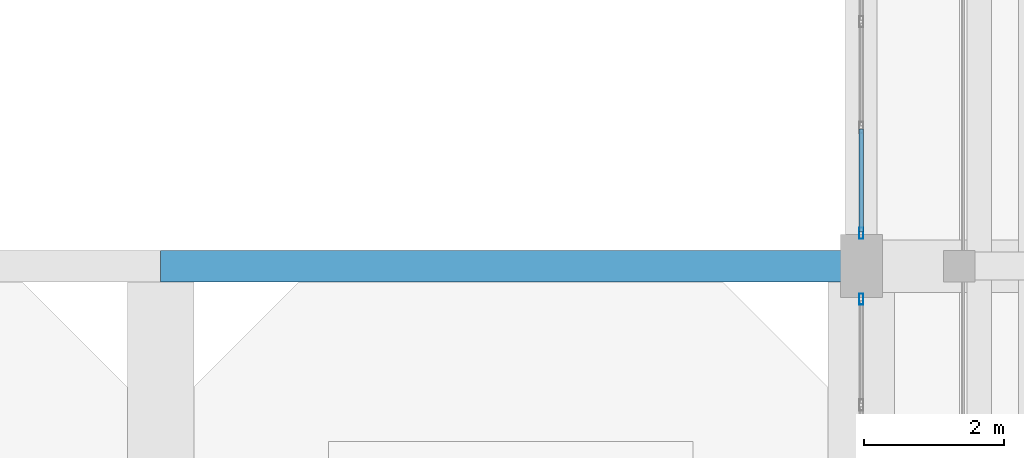
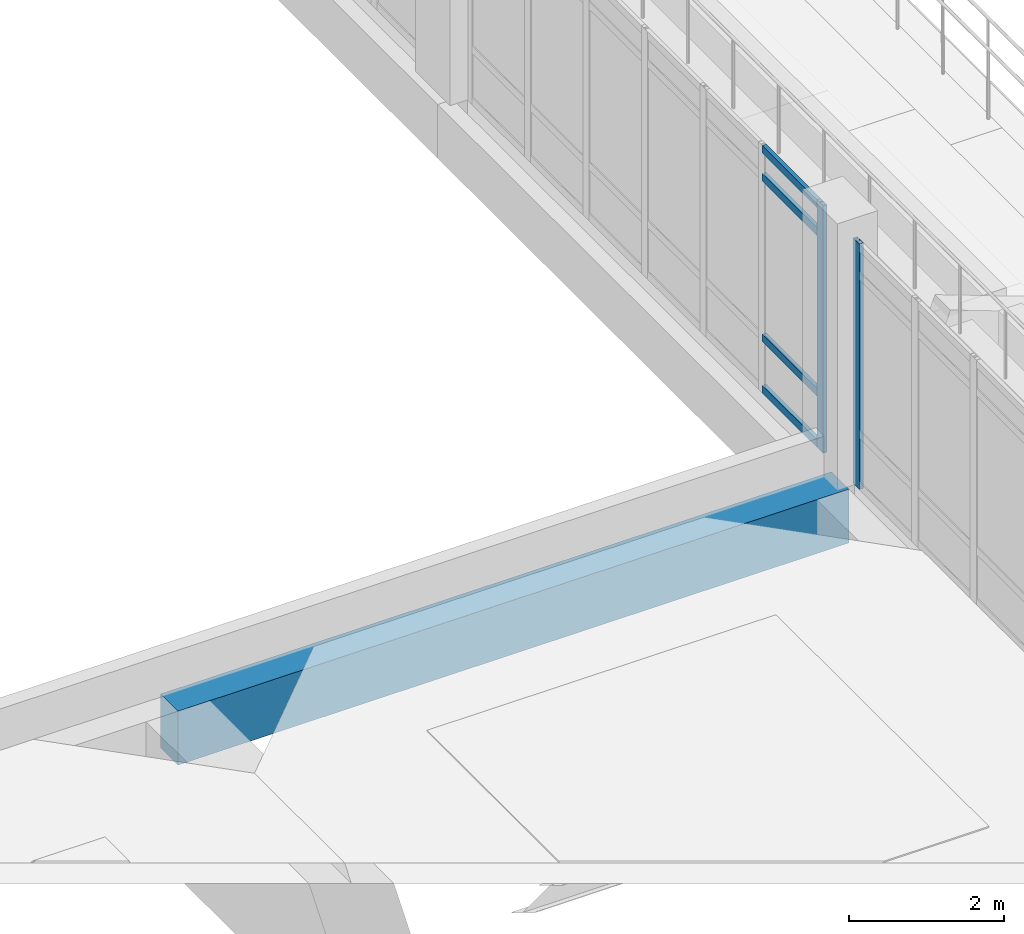
# One storey, part 63 of 161: 6 members, 1 beam, 2 elements without a shape of their own.
"""IFC4 building model written with IfcOpenShell, lengths in metres."""

from ifc_helpers import new_model, si_unit, direction, frame, origin, origin_2d, place, context, subcontext, project, spatial, rectangle, hollow_rectangle, extrude, material, layer, layer_set, material_profile, profile_set, type_object, element, aggregate, save


model = new_model("IFC4")

# Units and contexts
model_context = context("Model", 3, precision=1e-05, world=origin(), true_north=direction((0.0, 1.0)))
body_context = subcontext(model_context, "Body", "Model", "MODEL_VIEW")
ifc_project = project(units=[si_unit("LENGTHUNIT", "METRE"), si_unit("AREAUNIT", "SQUARE_METRE"), si_unit("VOLUMEUNIT", "CUBIC_METRE"), si_unit("PLANEANGLEUNIT", "RADIAN"), si_unit("MASSUNIT", "GRAM", prefix="KILO")], contexts=[model_context])

# Site, building, storey
site_placement = place(None, origin())
site = spatial("IfcSite", under=ifc_project, at=site_placement, CompositionType="ELEMENT")
building_placement = place(site_placement, origin())
building = spatial("IfcBuilding", under=site, at=building_placement, Name="Mersad Railyard Sports Hall", CompositionType="ELEMENT")
storey_placement = place(building_placement, frame((0.0, 0.0, 4.800048828125)))
storey = spatial("IfcBuildingStorey", under=building, at=storey_placement, Name="L01", CompositionType="ELEMENT", Elevation=4.800048828125)

# Curtain wall, member
ifc_material_1 = material(Name="Aluminium 6063-T6", Category="aluminium")
ifc_layer_1 = layer(ifc_material_1, 0.159912109375)
ifc_layer_set_1 = layer_set([ifc_layer_1], Name="Aluminium 6063-T6")
curtain_wall_type_1 = type_object("IfcCurtainWallType", Name="ARC-CW-CW14", PredefinedType="USERDEFINED", material=ifc_layer_set_1)
curtain_wall_1_placement = place(storey_placement, origin())
curtain_wall_1 = element("IfcCurtainWall", 1, at=curtain_wall_1_placement, inside=storey, type_object=curtain_wall_type_1, Name="Curtain wall CW14-0070", ObjectType="CURTAIN WALL", PredefinedType="USERDEFINED")
ifc_material_profile_1 = material_profile(ifc_material_1, hollow_rectangle(XDim=0.06005859375, YDim=0.159912109375, WallThickness=0.00390625, at=origin_2d()), Name="AL MULLION 60x160x4")
ifc_profile_set_1 = profile_set([ifc_material_profile_1], Name="Aluminium 6063-T6")
member_type_1 = type_object("IfcMemberType", Name="ARC-CW-MUL01", PredefinedType="MULLION", material=ifc_profile_set_1)
member_1_placement = place(storey_placement, frame((131.0, 43.030029296875, -0.02001953125), z_axis=(0.0, 0.0, 1.0), x_axis=(1.0, 0.0, 0.0)))
member_1 = element("IfcMember", 2, at=member_1_placement, type_object=member_type_1, Name="CW14 Mullion 7", PredefinedType="MULLION", context=body_context, shape_type="SweptSolid", body=[
    extrude(hollow_rectangle(XDim=0.06005859375, YDim=0.159912109375, WallThickness=0.00390625, at=origin_2d()), origin(), (0.0, 0.0, 1.0), 3.869873046875),
])
aggregate(curtain_wall_1, [member_1])

# Curtain wall, members
ifc_layer_2 = layer(ifc_material_1, 0.159912109375)
ifc_layer_set_2 = layer_set([ifc_layer_2], Name="Aluminium 6063-T6")
curtain_wall_type_2 = type_object("IfcCurtainWallType", Name="ARC-CW-CW25", PredefinedType="USERDEFINED", material=ifc_layer_set_2)
curtain_wall_2_placement = place(storey_placement, origin())
curtain_wall_2 = element("IfcCurtainWall", 3, at=curtain_wall_2_placement, inside=storey, type_object=curtain_wall_type_2, Name="Curtain wall CW25-0072", ObjectType="CURTAIN WALL", PredefinedType="USERDEFINED")
member_2_placement = place(storey_placement, frame((131.0, 43.969970703125, -0.02001953125), z_axis=(0.0, 0.0, 1.0), x_axis=(1.0, 0.0, 0.0)))
member_2 = element("IfcMember", 4, at=member_2_placement, type_object=member_type_1, Name="CW25 Mullion 1", PredefinedType="MULLION", context=body_context, shape_type="SweptSolid", body=[
    extrude(hollow_rectangle(XDim=0.06005859375, YDim=0.159912109375, WallThickness=0.00390625, at=origin_2d()), origin(), (0.0, 0.0, 1.0), 3.89990234375),
])
ifc_material_profile_2 = material_profile(ifc_material_1, hollow_rectangle(XDim=0.06005859375, YDim=0.1201171875, WallThickness=0.00390625, at=origin_2d()), Name="AL TRANSOM 60x120x4")
ifc_profile_set_2 = profile_set([ifc_material_profile_2], Name="Aluminium 6063-T6")
member_type_2 = type_object("IfcMemberType", Name="ARC-CW-TRN01", PredefinedType="USERDEFINED", material=ifc_profile_set_2)
member_3_placement = place(storey_placement, frame((131.0, 43.989990234375, 0.0400390625), z_axis=(0.0, 1.0, 0.0), x_axis=(-1.0, 0.0, 0.0)))
member_3 = element("IfcMember", 5, at=member_3_placement, type_object=member_type_2, Name="CW25 Transom 1-1", ObjectType="TRANSOM", PredefinedType="USERDEFINED", context=body_context, shape_type="SweptSolid", body=[
    extrude(hollow_rectangle(XDim=0.06005859375, YDim=0.1201171875, WallThickness=0.00390625, at=origin_2d()), origin(), (0.0, 0.0, 1.0), 1.469970703125),
])
member_4_placement = place(storey_placement, frame((131.0, 43.989990234375, 0.849853515625), z_axis=(0.0, 1.0, 0.0), x_axis=(-1.0, 0.0, 0.0)))
member_4 = element("IfcMember", 6, at=member_4_placement, type_object=member_type_2, Name="CW25 Transom 2-1", ObjectType="TRANSOM", PredefinedType="USERDEFINED", context=body_context, shape_type="SweptSolid", body=[
    extrude(hollow_rectangle(XDim=0.06005859375, YDim=0.1201171875, WallThickness=0.00390625, at=origin_2d()), origin(), (0.0, 0.0, 1.0), 1.469970703125),
])
member_5_placement = place(storey_placement, frame((131.0, 43.989990234375, 3.3798828125), z_axis=(0.0, 1.0, 0.0), x_axis=(-1.0, 0.0, 0.0)))
member_5 = element("IfcMember", 7, at=member_5_placement, type_object=member_type_2, Name="CW25 Transom 3-1", ObjectType="TRANSOM", PredefinedType="USERDEFINED", context=body_context, shape_type="SweptSolid", body=[
    extrude(hollow_rectangle(XDim=0.06005859375, YDim=0.1201171875, WallThickness=0.00390625, at=origin_2d()), origin(), (0.0, 0.0, 1.0), 1.469970703125),
])
member_6_placement = place(storey_placement, frame((131.0, 43.989990234375, 3.820068359375), z_axis=(0.0, 1.0, 0.0), x_axis=(-1.0, 0.0, 0.0)))
member_6 = element("IfcMember", 8, at=member_6_placement, type_object=member_type_2, Name="CW25 Transom 4-1", ObjectType="TRANSOM", PredefinedType="USERDEFINED", context=body_context, shape_type="SweptSolid", body=[
    extrude(hollow_rectangle(XDim=0.06005859375, YDim=0.1201171875, WallThickness=0.00390625, at=origin_2d()), origin(), (0.0, 0.0, 1.0), 1.469970703125),
])
aggregate(curtain_wall_2, [member_2, member_3, member_4, member_5, member_6])

# Beam
ifc_material_2 = material(Name="Concrete C40/50", Category="concrete")
ifc_material_profile_3 = material_profile(ifc_material_2, rectangle(XDim=0.449951171875, YDim=0.85009765625, at=origin_2d()), Name="RC 450x850")
ifc_profile_set_3 = profile_set([ifc_material_profile_3], Name="Concrete C40/50")
beam_type = type_object("IfcBeamType", Name="STR-BM-B02", PredefinedType="BEAM", material=ifc_profile_set_3)
beam_placement = place(storey_placement, frame((121.0, 43.5, -0.64501953125), z_axis=(1.0, 0.0, 0.0), x_axis=(0.0, 1.0, 0.0)))
element("IfcBeam", 9, at=beam_placement, inside=storey, type_object=beam_type, Name="Beam B02-0604", PredefinedType="BEAM", context=body_context, shape_type="SweptSolid", body=[
    extrude(rectangle(XDim=0.449951171875, YDim=0.85009765625, at=origin_2d()), origin(), (0.0, 0.0, 1.0), 10.0),
])

save(model, "model.ifc")
